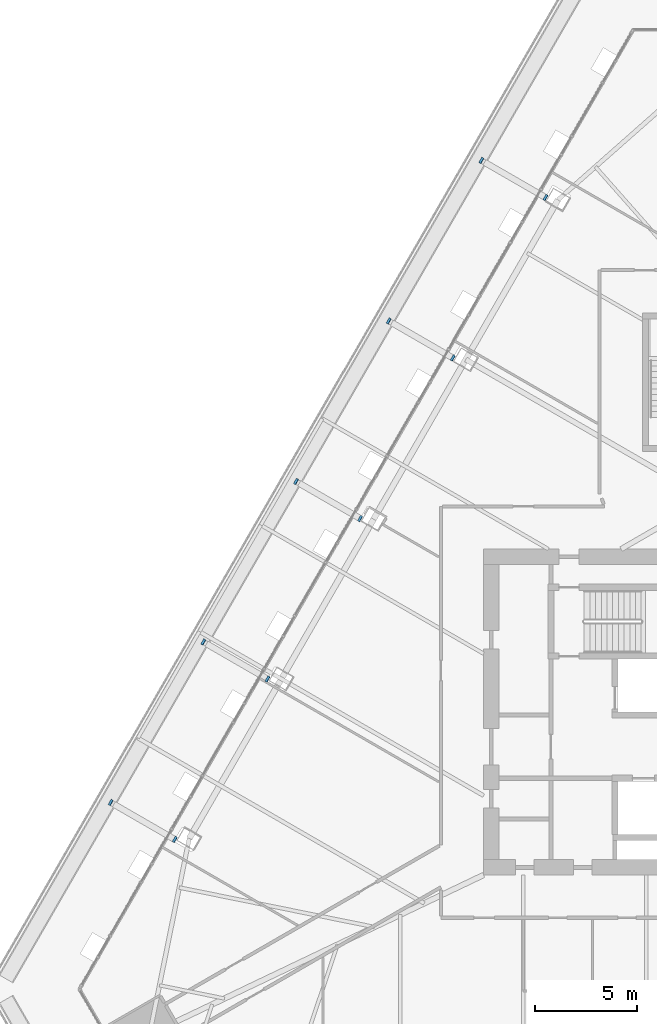
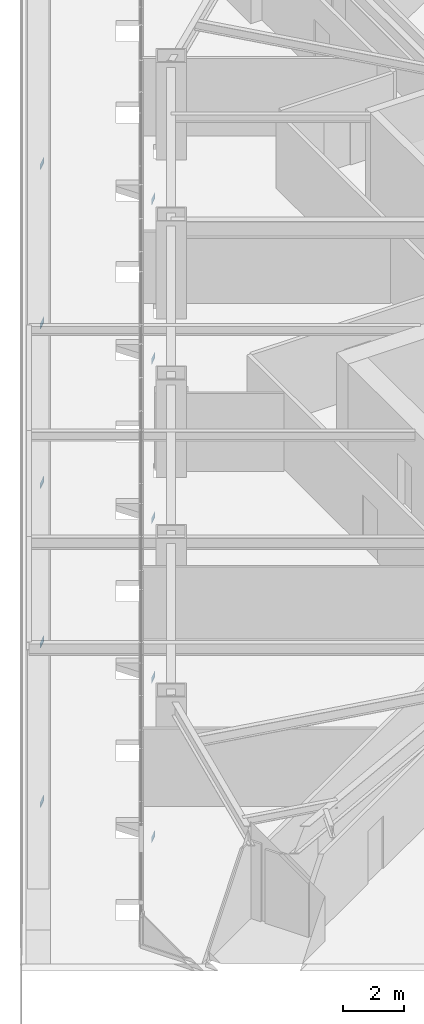
# One storey, part 32 of 35: 10 discrete accessories.
"""IFC4 building model written with IfcOpenShell, lengths in metres."""

from ifc_helpers import new_model, si_unit, direction, frame, origin, place, context, subcontext, project, spatial, polyline, outline, extrude, material, layer, layer_set, type_object, element, save


model = new_model("IFC4")

# Units and contexts
model_context = context("Model", 3, precision=1e-05, world=origin(), true_north=direction((0.0, 1.0)))
body_context = subcontext(model_context, "Body", "Model", "MODEL_VIEW")
ifc_project = project(units=[si_unit("LENGTHUNIT", "METRE"), si_unit("AREAUNIT", "SQUARE_METRE"), si_unit("VOLUMEUNIT", "CUBIC_METRE"), si_unit("PLANEANGLEUNIT", "RADIAN"), si_unit("MASSUNIT", "GRAM", prefix="KILO")], contexts=[model_context])

# Site, building, storey
site_placement = place(None, origin())
site = spatial("IfcSite", under=ifc_project, at=site_placement, CompositionType="ELEMENT")
building_placement = place(site_placement, origin())
building = spatial("IfcBuilding", under=site, at=building_placement, Name="Firuza Gate Tower and Library", CompositionType="ELEMENT")
storey_placement = place(building_placement, frame((0.0, 0.0, 159.699951171875)))
storey = spatial("IfcBuildingStorey", under=building, at=storey_placement, Name="L36", CompositionType="ELEMENT", Elevation=159.699951171875)

# Discrete accessories
ifc_material = material(Name="Steel S355", Category="steel")
ifc_layer = layer(ifc_material, 0.02001953125)
ifc_layer_set = layer_set([ifc_layer], Name="Strut seat plate 304x304x20 Steel S355")
discrete_accessory_type = type_object("IfcDiscreteAccessoryType", Name="Strut seat plate 304x304x20 Steel S355", PredefinedType="BRACKET", material=ifc_layer_set)
discrete_accessory_1_placement = place(storey_placement, frame((67.00390625, 100.110107421875, -1.53564453125), z_axis=(-0.806973625326, 0.46615166303, 0.362624040962), x_axis=(0.500174479618, 0.865924641835, -6.7835374e-05)))
element("IfcDiscreteAccessory", 1, at=discrete_accessory_1_placement, inside=storey, type_object=discrete_accessory_type, Name="Strut seat plate L36 col:L35:W1", PredefinedType="BRACKET", context=body_context, shape_type="SweptSolid", body=[
    extrude(outline(polyline([(0.0, 0.0), (0.3041849095073422, 6.938893903907228e-18), (0.3040246340961719, 0.30386491064819526), (5.113197209020785e-05, 0.3039091783605066), (0.0, 0.0)])), origin(), (0.0, 0.0, -1.0), 0.02001953125),
])
discrete_accessory_2_placement = place(storey_placement, frame((64.005859375, 102.192138671875, -0.12109375), z_axis=(-0.807237427615, 0.465929808707, 0.362321885644), x_axis=(-0.499833883094, -0.866121270386, 0.000185193903)))
element("IfcDiscreteAccessory", 2, at=discrete_accessory_2_placement, inside=storey, type_object=discrete_accessory_type, Name="Strut seat plate L36 col:L35:W1", PredefinedType="BRACKET", context=body_context, shape_type="SweptSolid", body=[
    extrude(outline(polyline([(0.0, 0.0), (0.30406287256605147, 0.0), (0.30393514215964945, -0.3039091214081182), (-3.830477473899236e-05, -0.3037883078732492), (0.0, 0.0)])), origin(), (0.0, 0.0, -1.0), 0.02001953125),
])
discrete_accessory_3_placement = place(storey_placement, frame((62.453857421875, 92.229248046875, -1.53564453125), z_axis=(-0.807237427615, 0.465929808707, 0.362321885644), x_axis=(0.499912951067, 0.866075654255, 4.9626419e-05)))
element("IfcDiscreteAccessory", 3, at=discrete_accessory_3_placement, inside=storey, type_object=discrete_accessory_type, Name="Strut seat plate L36 col:L35:W2", PredefinedType="BRACKET", context=body_context, shape_type="SweptSolid", body=[
    extrude(outline(polyline([(0.0, 0.0), (0.30418491197645486, 6.938893903907228e-18), (0.3040246316283602, 0.30386491311730407), (0.00017321296375140698, 0.30383253870852944), (0.0, 0.0)])), origin(), (0.0, 0.0, -1.0), 0.02001953125),
])
discrete_accessory_4_placement = place(storey_placement, frame((59.4560546875, 94.311279296875, -0.12109375), z_axis=(-0.806973625326, 0.46615166303, 0.362624040962), x_axis=(-0.500174479618, -0.865924641835, 6.7835374e-05)))
element("IfcDiscreteAccessory", 4, at=discrete_accessory_4_placement, inside=storey, type_object=discrete_accessory_type, Name="Strut seat plate L36 col:L35:W2", PredefinedType="BRACKET", context=body_context, shape_type="SweptSolid", body=[
    extrude(outline(polyline([(0.0, 0.0), (0.3041849095073422, 6.938893903907228e-18), (0.30413377753525195, -0.3039091783605066), (0.00016027541117030254, -0.3038649106481952), (0.0, 0.0)])), origin(), (0.0, 0.0, -1.0), 0.02001953125),
])
discrete_accessory_5_placement = place(storey_placement, frame((57.904052734375, 84.348388671875, -1.53564453125), z_axis=(-0.807297615918, 0.465590280112, 0.362624117232), x_axis=(0.499572120852, 0.866272296379, -6.778088e-05)))
element("IfcDiscreteAccessory", 5, at=discrete_accessory_5_placement, inside=storey, type_object=discrete_accessory_type, Name="Strut seat plate L36 col:L35:W3", PredefinedType="BRACKET", context=body_context, shape_type="SweptSolid", body=[
    extrude(outline(polyline([(0.0, 0.0), (0.30406290697327565, 6.938893903907228e-18), (0.3039792139198102, 0.3038649414044176), (0.00012779920639267585, 0.3039091558038255), (0.0, 0.0)])), origin(), (0.0, 0.0, -1.0), 0.02001953125),
])
discrete_accessory_6_placement = place(storey_placement, frame((54.906005859375, 86.430419921875, -0.12109375), z_axis=(-0.806973625326, 0.46615166303, 0.362624040962), x_axis=(-0.500220207533, -0.865898226911, -6.7882551e-05)))
element("IfcDiscreteAccessory", 6, at=discrete_accessory_6_placement, inside=storey, type_object=discrete_accessory_type, Name="Strut seat plate L36 col:L35:W3", PredefinedType="BRACKET", context=body_context, shape_type="SweptSolid", body=[
    extrude(outline(polyline([(0.0, 0.0), (0.30397350534743883, -1.3877787807814457e-17), (0.3041780326545568, -0.30386488408505474), (-6.873627186467326e-06, -0.3039091825841892), (0.0, 0.0)])), origin(), (0.0, 0.0, -1.0), 0.02001953125),
])
discrete_accessory_7_placement = place(storey_placement, frame((53.35400390625, 76.4677734375, -1.53564453125), z_axis=(-0.807237427615, 0.465929808707, 0.362321885644), x_axis=(0.49987951649, 0.866094952373, -4.9680886e-05)))
element("IfcDiscreteAccessory", 7, at=discrete_accessory_7_placement, inside=storey, type_object=discrete_accessory_type, Name="Strut seat plate L36 col:L35:W4", PredefinedType="BRACKET", context=body_context, shape_type="SweptSolid", body=[
    extrude(outline(polyline([(0.0, 0.0), (0.3038514203893043, 0.0), (0.30405700574906375, 0.3038325185286471), (-0.00012790450080272993, 0.30386492846989666), (0.0, 0.0)])), origin(), (0.0, 0.0, -1.0), 0.02001953125),
])
discrete_accessory_8_placement = place(storey_placement, frame((50.35595703125, 78.549560546875, -0.12109375), z_axis=(-0.807237427615, 0.465929808707, 0.362321885644), x_axis=(-0.499958602815, -0.866049283329, -0.00018524837)))
element("IfcDiscreteAccessory", 8, at=discrete_accessory_8_placement, inside=storey, type_object=discrete_accessory_type, Name="Strut seat plate L36 col:L35:W4", PredefinedType="BRACKET", context=body_context, shape_type="SweptSolid", body=[
    extrude(outline(polyline([(0.0, 0.0), (0.3039734709429158, 0.0), (0.30405590611344857, -0.3037882991034882), (-6.942437014411382e-06, -0.30390914817082026), (0.0, 0.0)])), origin(), (0.0, 0.0, -1.0), 0.02001953125),
])
discrete_accessory_9_placement = place(storey_placement, frame((48.803955078125, 68.5869140625, -1.53564453125), z_axis=(-0.806973625326, 0.46615166303, 0.362624040962), x_axis=(0.500220207533, 0.865898226911, 6.7882551e-05)))
element("IfcDiscreteAccessory", 9, at=discrete_accessory_9_placement, inside=storey, type_object=discrete_accessory_type, Name="Strut seat plate L36 col:L35:W5", PredefinedType="BRACKET", context=body_context, shape_type="SweptSolid", body=[
    extrude(outline(polyline([(0.0, 0.0), (0.30397350534743883, -1.3877787807814457e-17), (0.3039803789746254, 0.3039091825841892), (-0.00020452730711793783, 0.3038648840850547), (0.0, 0.0)])), origin(), (0.0, 0.0, -1.0), 0.02001953125),
])
discrete_accessory_10_placement = place(storey_placement, frame((45.805908203125, 70.668701171875, -0.12109375), z_axis=(-0.807297615918, 0.465590280112, 0.362624117232), x_axis=(-0.499617830402, -0.866245934446, -6.7828057e-05)))
element("IfcDiscreteAccessory", 10, at=discrete_accessory_10_placement, inside=storey, type_object=discrete_accessory_type, Name="Strut seat plate L36 col:L35:W5", PredefinedType="BRACKET", context=body_context, shape_type="SweptSolid", body=[
    extrude(outline(polyline([(0.0, 0.0), (0.30385141793030745, -6.938893903907228e-18), (0.303979327350139, -0.30386492600893855), (-8.357640400764226e-05, -0.30390917118279887), (0.0, 0.0)])), origin(), (0.0, 0.0, -1.0), 0.02001953125),
])

save(model, "model.ifc")
